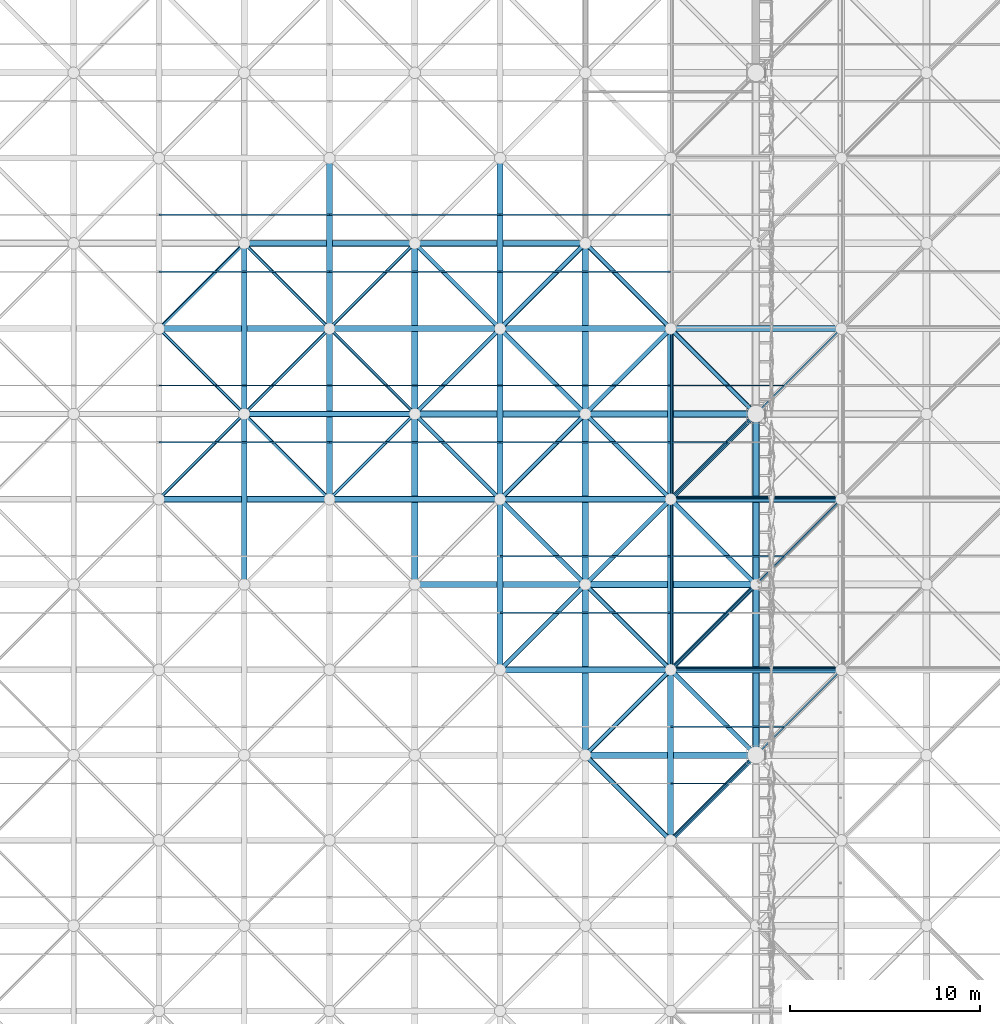
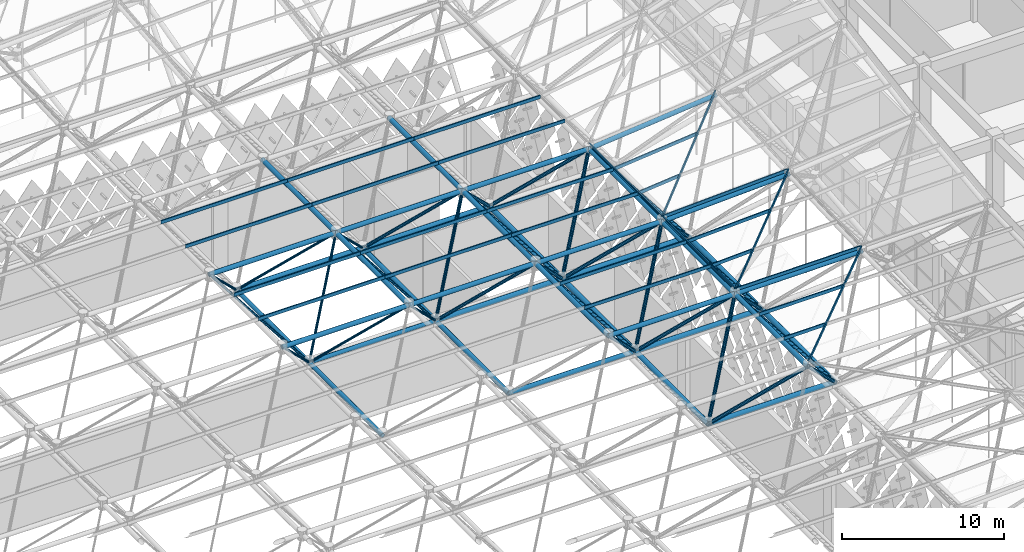
# One storey, part 96 of 437: 92 members.
"""IFC4 building model written with IfcOpenShell, lengths in metres."""

from ifc_helpers import new_model, si_unit, direction, frame, origin, origin_2d, place, context, subcontext, project, spatial, polyline, hollow_circle, outline, extrude, material, material_profile, profile_set, type_object, element, save


model = new_model("IFC4")

# Units and contexts
model_context = context("Model", 3, precision=1e-05, world=origin(), true_north=direction((0.0, 1.0)))
body_context = subcontext(model_context, "Body", "Model", "MODEL_VIEW")
ifc_project = project(units=[si_unit("LENGTHUNIT", "METRE"), si_unit("AREAUNIT", "SQUARE_METRE"), si_unit("VOLUMEUNIT", "CUBIC_METRE"), si_unit("PLANEANGLEUNIT", "RADIAN"), si_unit("MASSUNIT", "GRAM", prefix="KILO")], contexts=[model_context])

# Site, building, storey
site_placement = place(None, origin())
site = spatial("IfcSite", under=ifc_project, at=site_placement, CompositionType="ELEMENT")
building_placement = place(site_placement, origin())
building = spatial("IfcBuilding", under=site, at=building_placement, Name="Opaline Strait Convention Centre", CompositionType="ELEMENT")
storey_placement = place(building_placement, frame((0.0, 0.0, 11.5)))
storey = spatial("IfcBuildingStorey", under=building, at=storey_placement, Name="L02", CompositionType="ELEMENT", Elevation=11.5)

# Members
ifc_material = material(Name="Steel Q355B", Category="steel")
ifc_material_profile_1 = material_profile(ifc_material, outline(polyline([(-0.03759765625, -0.125), (0.03759765625, -0.125), (0.03759765625, -0.10498046875), (0.034912109375, -0.10498046875), (0.034912109375, -0.12255859375), (-0.034912109375, -0.12255859375), (-0.034912109375, 0.12255859375), (0.034912109375, 0.12255859375), (0.034912109375, 0.10498046875), (0.03759765625, 0.10498046875), (0.03759765625, 0.125), (-0.03759765625, 0.125), (-0.03759765625, -0.125)])), Name="C 250x75x20x2.5")
ifc_profile_set_1 = profile_set([ifc_material_profile_1], Name="Steel Q355B")
member_type_1 = type_object("IfcMemberType", Name="Roof purlin C 250x75x20x2.5", PredefinedType="PURLIN", material=ifc_profile_set_1)
member_1_placement = place(storey_placement, frame((256.5, 103.5, 18.256591796875), z_axis=(0.7070974383, 0.7070974383, 0.005140573824), x_axis=(-0.707116123947, 0.707078731646, 0.005143394667)))
element("IfcMember", 1, at=member_1_placement, inside=storey, type_object=member_type_1, Name="EXB-RF-F-19-7", PredefinedType="PURLIN", context=body_context, shape_type="SweptSolid", body=[
    extrude(outline(polyline([(-0.03759765625, -0.125), (0.03759765625, -0.125), (0.03759765625, -0.10498046875), (0.034912109375, -0.10498046875), (0.034912109375, -0.12255859375), (-0.034912109375, -0.12255859375), (-0.034912109375, 0.12255859375), (0.034912109375, 0.12255859375), (0.034912109375, 0.10498046875), (0.03759765625, 0.10498046875), (0.03759765625, 0.125), (-0.03759765625, 0.125), (-0.03759765625, -0.125)])), origin(), (0.0, 0.0, 1.0), 12.72802734375),
])
member_2_placement = place(storey_placement, frame((256.5, 106.5, 18.257080078125), z_axis=(0.999973480305, 0.0, 0.007282766388), x_axis=(0.0, 1.0, 0.0)))
element("IfcMember", 2, at=member_2_placement, inside=storey, type_object=member_type_1, Name="EXB-RF-P-19-7-0b", PredefinedType="PURLIN", context=body_context, shape_type="SweptSolid", body=[
    extrude(outline(polyline([(-0.03759765625, -0.125), (0.03759765625, -0.125), (0.03759765625, -0.10498046875), (0.034912109375, -0.10498046875), (0.034912109375, -0.12255859375), (-0.034912109375, -0.12255859375), (-0.034912109375, 0.12255859375), (0.034912109375, 0.12255859375), (0.034912109375, 0.10498046875), (0.03759765625, 0.10498046875), (0.03759765625, 0.125), (-0.03759765625, 0.125), (-0.03759765625, -0.125)])), origin(), (0.0, 0.0, 1.0), 2.949951171875),
])
member_3_placement = place(storey_placement, frame((256.5, 109.5, 18.257080078125), z_axis=(0.999973627418, 0.0, 0.007262538757), x_axis=(0.0, 1.0, 0.0)))
element("IfcMember", 3, at=member_3_placement, inside=storey, type_object=member_type_1, Name="EXB-RF-P-19-7-1b", PredefinedType="PURLIN", context=body_context, shape_type="SweptSolid", body=[
    extrude(outline(polyline([(-0.03759765625, -0.125), (0.03759765625, -0.125), (0.03759765625, -0.10498046875), (0.034912109375, -0.10498046875), (0.034912109375, -0.12255859375), (-0.034912109375, -0.12255859375), (-0.034912109375, 0.12255859375), (0.034912109375, 0.12255859375), (0.034912109375, 0.10498046875), (0.03759765625, 0.10498046875), (0.03759765625, 0.125), (-0.03759765625, 0.125), (-0.03759765625, -0.125)])), origin(), (0.0, 0.0, 1.0), 5.9501953125),
])
for number, where, z_axis, x_axis, name in (
    (4, (247.5, 115.5, 18.257080078125), (1.0, 0.0, 0.0), (0.0, 1.0, 0.0), "EXB-RF-P-18-8-0"),
    (5, (247.5, 118.5, 18.257080078125), (1.0, 0.0, 0.0), (0.0, 1.0, 0.0), "EXB-RF-P-18-8-1"),
):
    element("IfcMember", number, at=place(storey_placement, frame(where, z_axis=z_axis, x_axis=x_axis)), inside=storey, type_object=member_type_1, Name=name, PredefinedType="PURLIN", context=body_context, shape_type="SweptSolid", body=[
        extrude(outline(polyline([(-0.03759765625, -0.125), (0.03759765625, -0.125), (0.03759765625, -0.10498046875), (0.034912109375, -0.10498046875), (0.034912109375, -0.12255859375), (-0.034912109375, -0.12255859375), (-0.034912109375, 0.12255859375), (0.034912109375, 0.12255859375), (0.034912109375, 0.10498046875), (0.03759765625, 0.10498046875), (0.03759765625, 0.125), (-0.03759765625, 0.125), (-0.03759765625, -0.125)])), origin(), (0.0, 0.0, 1.0), 9.0),
    ])
member_4_placement = place(storey_placement, frame((256.5, 112.5, 18.25537109375), z_axis=(0.706754608869, 0.706754608869, 0.031557022738), x_axis=(-0.707421437094, 0.706472170757, 0.021259874997)))
element("IfcMember", 6, at=member_4_placement, inside=storey, type_object=member_type_1, Name="EXB-RF-F-19-8", PredefinedType="PURLIN", context=body_context, shape_type="SweptSolid", body=[
    extrude(outline(polyline([(-0.03759765625, -0.125), (0.03759765625, -0.125), (0.03759765625, -0.10498046875), (0.034912109375, -0.10498046875), (0.034912109375, -0.12255859375), (-0.034912109375, -0.12255859375), (-0.034912109375, 0.12255859375), (0.034912109375, 0.12255859375), (0.034912109375, 0.10498046875), (0.03759765625, 0.10498046875), (0.03759765625, 0.125), (-0.03759765625, 0.125), (-0.03759765625, -0.125)])), origin(), (0.0, 0.0, 1.0), 12.734375),
])
member_5_placement = place(storey_placement, frame((256.449951171875, 112.54443359375, 18.25830078125), z_axis=(0.999973571083, 0.0, 0.007270291296), x_axis=(-0.000271545984, 0.999302242213, 0.037349095988)))
element("IfcMember", 7, at=member_5_placement, inside=storey, type_object=member_type_1, Name="EXB-RF-E-19-8a", PredefinedType="PURLIN", context=body_context, shape_type="SweptSolid", body=[
    extrude(outline(polyline([(-0.03759765625, -0.125), (0.03759765625, -0.125), (0.03759765625, -0.10498046875), (0.034912109375, -0.10498046875), (0.034912109375, -0.12255859375), (-0.034912109375, -0.12255859375), (-0.034912109375, 0.12255859375), (0.034912109375, 0.12255859375), (0.034912109375, 0.10498046875), (0.03759765625, 0.10498046875), (0.03759765625, 0.125), (-0.03759765625, 0.125), (-0.03759765625, -0.125)])), origin(), (0.0, 0.0, 1.0), 9.100341796875),
])
member_6_placement = place(storey_placement, frame((256.54541015625, 112.449951171875, 18.259033203125), z_axis=(0.0, 1.0, 0.0), x_axis=(-0.999004644434, 0.0, -0.044606282058)))
element("IfcMember", 8, at=member_6_placement, inside=storey, type_object=member_type_1, Name="EXB-RF-E-19-8b", PredefinedType="PURLIN", context=body_context, shape_type="SweptSolid", body=[
    extrude(outline(polyline([(-0.03759765625, -0.125), (0.03759765625, -0.125), (0.03759765625, -0.10498046875), (0.034912109375, -0.10498046875), (0.034912109375, -0.12255859375), (-0.034912109375, -0.12255859375), (-0.034912109375, 0.12255859375), (0.034912109375, 0.12255859375), (0.034912109375, 0.10498046875), (0.03759765625, 0.10498046875), (0.03759765625, 0.125), (-0.03759765625, 0.125), (-0.03759765625, -0.125)])), origin(), (0.0, 0.0, 1.0), 9.10009765625),
])
member_7_placement = place(storey_placement, frame((256.579833984375, 115.5, 18.2607421875), z_axis=(0.99900431847, 0.0, 0.044613581762), x_axis=(0.0, 1.0, 0.0)))
element("IfcMember", 9, at=member_7_placement, inside=storey, type_object=member_type_1, Name="EXB-RF-P-19-8-0b", PredefinedType="PURLIN", context=body_context, shape_type="SweptSolid", body=[
    extrude(outline(polyline([(-0.03759765625, -0.125), (0.03759765625, -0.125), (0.03759765625, -0.10498046875), (0.034912109375, -0.10498046875), (0.034912109375, -0.12255859375), (-0.034912109375, -0.12255859375), (-0.034912109375, 0.12255859375), (0.034912109375, 0.12255859375), (0.034912109375, 0.10498046875), (0.03759765625, 0.10498046875), (0.03759765625, 0.125), (-0.03759765625, 0.125), (-0.03759765625, -0.125)])), origin(), (0.0, 0.0, 1.0), 2.873046875),
])
member_8_placement = place(storey_placement, frame((256.579833984375, 118.5, 18.2607421875), z_axis=(0.999005721795, 0.0, 0.044582146876), x_axis=(0.0, 1.0, 0.0)))
element("IfcMember", 10, at=member_8_placement, inside=storey, type_object=member_type_1, Name="EXB-RF-P-19-8-1b", PredefinedType="PURLIN", context=body_context, shape_type="SweptSolid", body=[
    extrude(outline(polyline([(-0.03759765625, -0.125), (0.03759765625, -0.125), (0.03759765625, -0.10498046875), (0.034912109375, -0.10498046875), (0.034912109375, -0.12255859375), (-0.034912109375, -0.12255859375), (-0.034912109375, 0.12255859375), (0.034912109375, 0.12255859375), (0.034912109375, 0.10498046875), (0.03759765625, 0.10498046875), (0.03759765625, 0.125), (-0.03759765625, 0.125), (-0.03759765625, -0.125)])), origin(), (0.0, 0.0, 1.0), 5.8759765625),
])
for number, where, z_axis, x_axis, name in (
    (11, (229.5, 124.5, 18.257080078125), (1.0, 0.0, 0.0), (0.0, 1.0, 0.0), "EXB-RF-P-16-9-0"),
    (12, (229.5, 127.5, 18.257080078125), (1.0, 0.0, 0.0), (0.0, 1.0, 0.0), "EXB-RF-P-16-9-1"),
    (13, (238.5, 124.5, 18.257080078125), (1.0, 0.0, 0.0), (0.0, 1.0, 0.0), "EXB-RF-P-17-9-0"),
    (14, (238.5, 127.5, 18.257080078125), (1.0, 0.0, 0.0), (0.0, 1.0, 0.0), "EXB-RF-P-17-9-1"),
    (15, (247.5, 124.5, 18.257080078125), (1.0, 0.0, 0.0), (0.0, 1.0, 0.0), "EXB-RF-P-18-9-0"),
    (16, (247.5, 127.5, 18.257080078125), (1.0, 0.0, 0.0), (0.0, 1.0, 0.0), "EXB-RF-P-18-9-1"),
):
    element("IfcMember", number, at=place(storey_placement, frame(where, z_axis=z_axis, x_axis=x_axis)), inside=storey, type_object=member_type_1, Name=name, PredefinedType="PURLIN", context=body_context, shape_type="SweptSolid", body=[
        extrude(outline(polyline([(-0.03759765625, -0.125), (0.03759765625, -0.125), (0.03759765625, -0.10498046875), (0.034912109375, -0.10498046875), (0.034912109375, -0.12255859375), (-0.034912109375, -0.12255859375), (-0.034912109375, 0.12255859375), (0.034912109375, 0.12255859375), (0.034912109375, 0.10498046875), (0.03759765625, 0.10498046875), (0.03759765625, 0.125), (-0.03759765625, 0.125), (-0.03759765625, -0.125)])), origin(), (0.0, 0.0, 1.0), 9.0),
    ])
member_9_placement = place(storey_placement, frame((256.5, 121.5, 18.255126953125), z_axis=(0.705385748856, 0.705385748856, 0.069727258812), x_axis=(-0.707423051329, 0.706758384602, 0.006724004996)))
element("IfcMember", 17, at=member_9_placement, inside=storey, type_object=member_type_1, Name="EXB-RF-F-19-9", PredefinedType="PURLIN", context=body_context, shape_type="SweptSolid", body=[
    extrude(outline(polyline([(-0.03759765625, -0.125), (0.03759765625, -0.125), (0.03759765625, -0.10498046875), (0.034912109375, -0.10498046875), (0.034912109375, -0.12255859375), (-0.034912109375, -0.12255859375), (-0.034912109375, 0.12255859375), (0.034912109375, 0.12255859375), (0.034912109375, 0.10498046875), (0.03759765625, 0.10498046875), (0.03759765625, 0.125), (-0.03759765625, 0.125), (-0.03759765625, -0.125)])), origin(), (0.0, 0.0, 1.0), 12.759033203125),
])
member_10_placement = place(storey_placement, frame((256.449951171875, 121.54638671875, 18.257568359375), z_axis=(0.999005016003, 0.0, 0.044597959613), x_axis=(-0.002411571545, 0.998536953469, 0.054019782307)))
element("IfcMember", 18, at=member_10_placement, inside=storey, type_object=member_type_1, Name="EXB-RF-E-19-9a", PredefinedType="PURLIN", context=body_context, shape_type="SweptSolid", body=[
    extrude(outline(polyline([(-0.03759765625, -0.125), (0.03759765625, -0.125), (0.03759765625, -0.10498046875), (0.034912109375, -0.10498046875), (0.034912109375, -0.12255859375), (-0.034912109375, -0.12255859375), (-0.034912109375, 0.12255859375), (0.034912109375, 0.12255859375), (0.034912109375, 0.10498046875), (0.03759765625, 0.10498046875), (0.03759765625, 0.125), (-0.03759765625, 0.125), (-0.03759765625, -0.125)])), origin(), (0.0, 0.0, 1.0), 9.109130859375),
])
member_11_placement = place(storey_placement, frame((256.5517578125, 121.449951171875, 18.2626953125), z_axis=(0.0, 1.0, 0.0), x_axis=(-0.995149078082, 0.0, -0.098378414266)))
element("IfcMember", 19, at=member_11_placement, inside=storey, type_object=member_type_1, Name="EXB-RF-E-19-9b", PredefinedType="PURLIN", context=body_context, shape_type="SweptSolid", body=[
    extrude(outline(polyline([(-0.03759765625, -0.125), (0.03759765625, -0.125), (0.03759765625, -0.10498046875), (0.034912109375, -0.10498046875), (0.034912109375, -0.12255859375), (-0.034912109375, -0.12255859375), (-0.034912109375, 0.12255859375), (0.034912109375, 0.12255859375), (0.034912109375, 0.10498046875), (0.03759765625, 0.10498046875), (0.03759765625, 0.125), (-0.03759765625, 0.125), (-0.03759765625, -0.125)])), origin(), (0.0, 0.0, 1.0), 9.10009765625),
])
member_12_placement = place(storey_placement, frame((256.58642578125, 124.5, 18.26611328125), z_axis=(0.995144966284, 0.0, 0.098419998371), x_axis=(0.0, 1.0, 0.0)))
element("IfcMember", 20, at=member_12_placement, inside=storey, type_object=member_type_1, Name="EXB-RF-P-19-9-0b", PredefinedType="PURLIN", context=body_context, shape_type="SweptSolid", body=[
    extrude(outline(polyline([(-0.03759765625, -0.125), (0.03759765625, -0.125), (0.03759765625, -0.10498046875), (0.034912109375, -0.10498046875), (0.034912109375, -0.12255859375), (-0.034912109375, -0.12255859375), (-0.034912109375, 0.12255859375), (0.034912109375, 0.12255859375), (0.034912109375, 0.10498046875), (0.03759765625, 0.10498046875), (0.03759765625, 0.125), (-0.03759765625, 0.125), (-0.03759765625, -0.125)])), origin(), (0.0, 0.0, 1.0), 2.87744140625),
])
member_13_placement = place(storey_placement, frame((256.58642578125, 127.5, 18.26611328125), z_axis=(0.995150180521, 0.0, 0.098367261879), x_axis=(0.0, 1.0, 0.0)))
element("IfcMember", 21, at=member_13_placement, inside=storey, type_object=member_type_1, Name="EXB-RF-P-19-9-1b", PredefinedType="PURLIN", context=body_context, shape_type="SweptSolid", body=[
    extrude(outline(polyline([(-0.03759765625, -0.125), (0.03759765625, -0.125), (0.03759765625, -0.10498046875), (0.034912109375, -0.10498046875), (0.034912109375, -0.12255859375), (-0.034912109375, -0.12255859375), (-0.034912109375, 0.12255859375), (0.034912109375, 0.12255859375), (0.034912109375, 0.10498046875), (0.03759765625, 0.10498046875), (0.03759765625, 0.125), (-0.03759765625, 0.125), (-0.03759765625, -0.125)])), origin(), (0.0, 0.0, 1.0), 5.89208984375),
])
for number, where, z_axis, x_axis, name in (
    (22, (229.5, 133.5, 18.257080078125), (1.0, 0.0, 0.0), (0.0, 1.0, 0.0), "EXB-RF-P-16-10-0"),
    (23, (229.5, 136.5, 18.257080078125), (1.0, 0.0, 0.0), (0.0, 1.0, 0.0), "EXB-RF-P-16-10-1"),
    (24, (238.5, 133.5, 18.257080078125), (1.0, 0.0, 0.0), (0.0, 1.0, 0.0), "EXB-RF-P-17-10-0"),
    (25, (238.5, 136.5, 18.257080078125), (1.0, 0.0, 0.0), (0.0, 1.0, 0.0), "EXB-RF-P-17-10-1"),
    (26, (247.5, 133.5, 18.257080078125), (1.0, 0.0, 0.0), (0.0, 1.0, 0.0), "EXB-RF-P-18-10-0"),
    (27, (247.5, 136.5, 18.257080078125), (1.0, 0.0, 0.0), (0.0, 1.0, 0.0), "EXB-RF-P-18-10-1"),
):
    element("IfcMember", number, at=place(storey_placement, frame(where, z_axis=z_axis, x_axis=x_axis)), inside=storey, type_object=member_type_1, Name=name, PredefinedType="PURLIN", context=body_context, shape_type="SweptSolid", body=[
        extrude(outline(polyline([(-0.03759765625, -0.125), (0.03759765625, -0.125), (0.03759765625, -0.10498046875), (0.034912109375, -0.10498046875), (0.034912109375, -0.12255859375), (-0.034912109375, -0.12255859375), (-0.034912109375, 0.12255859375), (0.034912109375, 0.12255859375), (0.034912109375, 0.10498046875), (0.03759765625, 0.10498046875), (0.03759765625, 0.125), (-0.03759765625, 0.125), (-0.03759765625, -0.125)])), origin(), (0.0, 0.0, 1.0), 9.0),
    ])
ifc_material_profile_2 = material_profile(ifc_material, hollow_circle(Radius=0.1494140625, WallThickness=0.010009765625, at=origin_2d()), Name="CHS 299x10")
ifc_profile_set_2 = profile_set([ifc_material_profile_2], Name="Steel Q355B")
member_type_2 = type_object("IfcMemberType", Name="Space frame bottom chord CHS 299x10", PredefinedType="CHORD", material=ifc_profile_set_2)
for number, where, z_axis, x_axis, name in (
    (28, (233.949951171875, 126.0, 12.5), (1.0, 0.0, 0.0), (0.0, 1.0, 0.0), "EXB-RF-BX-16-9"),
    (29, (234.0, 116.949951171875, 12.5), (0.0, 1.0, 0.0), (-1.0, 0.0, 0.0), "EXB-RF-BY-16-8"),
    (30, (234.0, 125.949951171875, 12.5), (0.0, 1.0, 0.0), (-1.0, 0.0, 0.0), "EXB-RF-BY-16-9"),
):
    element("IfcMember", number, at=place(storey_placement, frame(where, z_axis=z_axis, x_axis=x_axis)), inside=storey, type_object=member_type_2, Name=name, PredefinedType="CHORD", context=body_context, shape_type="SweptSolid", body=[
        extrude(hollow_circle(Radius=0.1494140625, WallThickness=0.010009765625, at=origin_2d()), origin(), (0.0, 0.0, 1.0), 9.10009765625),
    ])
ifc_material_profile_3 = material_profile(ifc_material, hollow_circle(Radius=0.16259765625, WallThickness=0.013916015625, at=origin_2d()), Name="CHS 325x14")
ifc_profile_set_3 = profile_set([ifc_material_profile_3], Name="Steel Q355B")
member_type_3 = type_object("IfcMemberType", Name="Space frame bottom chord CHS 325x14", PredefinedType="CHORD", material=ifc_profile_set_3)
for number, where, z_axis, x_axis, name in (
    (31, (242.949951171875, 117.0, 12.5), (1.0, 0.0, 0.0), (0.0, 1.0, 0.0), "EXB-RF-BX-17-8"),
    (32, (233.949951171875, 135.0, 12.5), (1.0, 0.0, 0.0), (0.0, 1.0, 0.0), "EXB-RF-BX-16-10"),
    (33, (242.949951171875, 135.0, 12.5), (1.0, 0.0, 0.0), (0.0, 1.0, 0.0), "EXB-RF-BX-17-10"),
    (34, (243.0, 116.949951171875, 12.5), (0.0, 1.0, 0.0), (-1.0, 0.0, 0.0), "EXB-RF-BY-17-8"),
    (35, (243.0, 125.949951171875, 12.5), (0.0, 1.0, 0.0), (-1.0, 0.0, 0.0), "EXB-RF-BY-17-9"),
):
    element("IfcMember", number, at=place(storey_placement, frame(where, z_axis=z_axis, x_axis=x_axis)), inside=storey, type_object=member_type_3, Name=name, PredefinedType="CHORD", context=body_context, shape_type="SweptSolid", body=[
        extrude(hollow_circle(Radius=0.16259765625, WallThickness=0.013916015625, at=origin_2d()), origin(), (0.0, 0.0, 1.0), 9.10009765625),
    ])
ifc_material_profile_4 = material_profile(ifc_material, hollow_circle(Radius=0.175537109375, WallThickness=0.01611328125, at=origin_2d()), Name="CHS 351x16")
ifc_profile_set_4 = profile_set([ifc_material_profile_4], Name="Steel Q355B")
member_type_4 = type_object("IfcMemberType", Name="Space frame bottom chord CHS 351x16", PredefinedType="CHORD", material=ifc_profile_set_4)
for number, where, z_axis, x_axis, name in (
    (36, (251.949951171875, 108.0, 12.5), (1.0, 0.0, 0.0), (0.0, 1.0, 0.0), "EXB-RF-BX-18-7"),
    (37, (251.949951171875, 117.0, 12.5), (1.0, 0.0, 0.0), (0.0, 1.0, 0.0), "EXB-RF-BX-18-8"),
    (38, (242.949951171875, 126.0, 12.5), (1.0, 0.0, 0.0), (0.0, 1.0, 0.0), "EXB-RF-BX-17-9"),
    (39, (251.949951171875, 126.0, 12.5), (1.0, 0.0, 0.0), (0.0, 1.0, 0.0), "EXB-RF-BX-18-9"),
    (40, (252.0, 107.949951171875, 12.5), (0.0, 1.0, 0.0), (-1.0, 0.0, 0.0), "EXB-RF-BY-18-7"),
    (41, (252.0, 116.949951171875, 12.5), (0.0, 1.0, 0.0), (-1.0, 0.0, 0.0), "EXB-RF-BY-18-8"),
    (42, (252.0, 125.949951171875, 12.5), (0.0, 1.0, 0.0), (-1.0, 0.0, 0.0), "EXB-RF-BY-18-9"),
    (43, (261.0, 107.949951171875, 12.5), (0.0, 1.0, 0.0), (-1.0, 0.0, 0.0), "EXB-RF-BY-19-7"),
    (44, (261.0, 116.949951171875, 12.5), (0.0, 1.0, 0.0), (-1.0, 0.0, 0.0), "EXB-RF-BY-19-8"),
):
    element("IfcMember", number, at=place(storey_placement, frame(where, z_axis=z_axis, x_axis=x_axis)), inside=storey, type_object=member_type_4, Name=name, PredefinedType="CHORD", context=body_context, shape_type="SweptSolid", body=[
        extrude(hollow_circle(Radius=0.175537109375, WallThickness=0.01611328125, at=origin_2d()), origin(), (0.0, 0.0, 1.0), 9.10009765625),
    ])
ifc_material_profile_5 = material_profile(ifc_material, hollow_circle(Radius=0.16259765625, WallThickness=0.010009765625, at=origin_2d()), Name="CHS 325x10")
ifc_profile_set_5 = profile_set([ifc_material_profile_5], Name="Steel Q355B")
member_type_5 = type_object("IfcMemberType", Name="Space frame top chord CHS 325x10", PredefinedType="CHORD", material=ifc_profile_set_5)
for number, where, z_axis, x_axis, name in (
    (45, (229.449951171875, 121.5, 17.971435546875), (1.0, 0.0, 0.0), (0.0, 1.0, 0.0), "EXB-RF-TX-16-9"),
    (46, (229.449951171875, 130.5, 17.971435546875), (1.0, 0.0, 0.0), (0.0, 1.0, 0.0), "EXB-RF-TX-16-10"),
    (47, (238.5, 121.449951171875, 17.971435546875), (0.0, 1.0, 0.0), (-1.0, 0.0, 0.0), "EXB-RF-TY-17-9"),
):
    element("IfcMember", number, at=place(storey_placement, frame(where, z_axis=z_axis, x_axis=x_axis)), inside=storey, type_object=member_type_5, Name=name, PredefinedType="CHORD", context=body_context, shape_type="SweptSolid", body=[
        extrude(hollow_circle(Radius=0.16259765625, WallThickness=0.010009765625, at=origin_2d()), origin(), (0.0, 0.0, 1.0), 9.10009765625),
    ])
ifc_material_profile_6 = material_profile(ifc_material, hollow_circle(Radius=0.16259765625, WallThickness=0.013916015625, at=origin_2d()), Name="CHS 325x14")
ifc_profile_set_6 = profile_set([ifc_material_profile_6], Name="Steel Q355B")
member_type_6 = type_object("IfcMemberType", Name="Space frame top chord CHS 325x14", PredefinedType="CHORD", material=ifc_profile_set_6)
for number, where, z_axis, x_axis, name in (
    (48, (238.449951171875, 121.5, 17.971435546875), (1.0, 0.0, 0.0), (0.0, 1.0, 0.0), "EXB-RF-TX-17-9"),
    (49, (238.449951171875, 130.5, 17.971435546875), (1.0, 0.0, 0.0), (0.0, 1.0, 0.0), "EXB-RF-TX-17-10"),
    (50, (238.5, 130.449951171875, 17.971435546875), (0.0, 1.0, 0.0), (-1.0, 0.0, 0.0), "EXB-RF-TY-17-10"),
    (51, (247.5, 112.449951171875, 17.971435546875), (0.0, 1.0, 0.0), (-1.0, 0.0, 0.0), "EXB-RF-TY-18-8"),
    (52, (247.5, 130.449951171875, 17.971435546875), (0.0, 1.0, 0.0), (-1.0, 0.0, 0.0), "EXB-RF-TY-18-10"),
):
    element("IfcMember", number, at=place(storey_placement, frame(where, z_axis=z_axis, x_axis=x_axis)), inside=storey, type_object=member_type_6, Name=name, PredefinedType="CHORD", context=body_context, shape_type="SweptSolid", body=[
        extrude(hollow_circle(Radius=0.16259765625, WallThickness=0.013916015625, at=origin_2d()), origin(), (0.0, 0.0, 1.0), 9.10009765625),
    ])
ifc_material_profile_7 = material_profile(ifc_material, hollow_circle(Radius=0.16259765625, WallThickness=0.02001953125, at=origin_2d()), Name="CHS 325x20")
ifc_profile_set_7 = profile_set([ifc_material_profile_7], Name="Steel Q355B")
member_type_7 = type_object("IfcMemberType", Name="Space frame top chord CHS 325x20", PredefinedType="CHORD", material=ifc_profile_set_7)
member_14_placement = place(storey_placement, frame((247.449951171875, 112.5, 17.971435546875), z_axis=(1.0, 0.0, 0.0), x_axis=(0.0, 1.0, 0.0)))
element("IfcMember", 53, at=member_14_placement, inside=storey, type_object=member_type_7, Name="EXB-RF-TX-18-8", PredefinedType="CHORD", context=body_context, shape_type="SweptSolid", body=[
    extrude(hollow_circle(Radius=0.16259765625, WallThickness=0.02001953125, at=origin_2d()), origin(), (0.0, 0.0, 1.0), 9.10009765625),
])
member_15_placement = place(storey_placement, frame((256.449951171875, 112.5, 17.97119140625), z_axis=(0.999973571083, 0.0, 0.007270291296), x_axis=(0.0, 1.0, 0.0)))
element("IfcMember", 54, at=member_15_placement, inside=storey, type_object=member_type_7, Name="EXB-RF-TX-19-8", PredefinedType="CHORD", context=body_context, shape_type="SweptSolid", body=[
    extrude(hollow_circle(Radius=0.16259765625, WallThickness=0.02001953125, at=origin_2d()), origin(), (0.0, 0.0, 1.0), 9.100341796875),
])
member_16_placement = place(storey_placement, frame((247.449951171875, 121.5, 17.971435546875), z_axis=(1.0, 0.0, 0.0), x_axis=(0.0, 1.0, 0.0)))
element("IfcMember", 55, at=member_16_placement, inside=storey, type_object=member_type_7, Name="EXB-RF-TX-18-9", PredefinedType="CHORD", context=body_context, shape_type="SweptSolid", body=[
    extrude(hollow_circle(Radius=0.16259765625, WallThickness=0.02001953125, at=origin_2d()), origin(), (0.0, 0.0, 1.0), 9.10009765625),
])
member_17_placement = place(storey_placement, frame((256.449951171875, 121.5, 17.96923828125), z_axis=(0.999005016003, 0.0, 0.044597959613), x_axis=(0.0, 1.0, 0.0)))
element("IfcMember", 56, at=member_17_placement, inside=storey, type_object=member_type_7, Name="EXB-RF-TX-19-9", PredefinedType="CHORD", context=body_context, shape_type="SweptSolid", body=[
    extrude(hollow_circle(Radius=0.16259765625, WallThickness=0.02001953125, at=origin_2d()), origin(), (0.0, 0.0, 1.0), 9.109130859375),
])
member_18_placement = place(storey_placement, frame((247.449951171875, 130.5, 17.971435546875), z_axis=(1.0, 0.0, 0.0), x_axis=(0.0, 1.0, 0.0)))
element("IfcMember", 57, at=member_18_placement, inside=storey, type_object=member_type_7, Name="EXB-RF-TX-18-10", PredefinedType="CHORD", context=body_context, shape_type="SweptSolid", body=[
    extrude(hollow_circle(Radius=0.16259765625, WallThickness=0.02001953125, at=origin_2d()), origin(), (0.0, 0.0, 1.0), 9.10009765625),
])
member_19_placement = place(storey_placement, frame((256.4501953125, 130.5, 17.966552734375), z_axis=(0.995148121675, 0.0, 0.098388088334), x_axis=(0.0, 1.0, 0.0)))
element("IfcMember", 58, at=member_19_placement, inside=storey, type_object=member_type_7, Name="EXB-RF-TX-19-10", PredefinedType="CHORD", context=body_context, shape_type="SweptSolid", body=[
    extrude(hollow_circle(Radius=0.16259765625, WallThickness=0.02001953125, at=origin_2d()), origin(), (0.0, 0.0, 1.0), 9.14404296875),
])
for number, where, z_axis, x_axis, name in (
    (59, (247.5, 121.449951171875, 17.971435546875), (0.0, 1.0, 0.0), (-1.0, 0.0, 0.0), "EXB-RF-TY-18-9"),
    (60, (256.5, 103.449951171875, 17.971435546875), (0.0, 1.0, 0.0), (-1.0, 0.0, 0.0), "EXB-RF-TY-19-7"),
    (61, (256.5, 112.449951171875, 17.971435546875), (0.0, 1.0, 0.0), (-1.0, 0.0, 0.0), "EXB-RF-TY-19-8"),
    (62, (256.5, 121.449951171875, 17.971435546875), (0.0, 1.0, 0.0), (-1.0, 0.0, 0.0), "EXB-RF-TY-19-9"),
):
    element("IfcMember", number, at=place(storey_placement, frame(where, z_axis=z_axis, x_axis=x_axis)), inside=storey, type_object=member_type_7, Name=name, PredefinedType="CHORD", context=body_context, shape_type="SweptSolid", body=[
        extrude(hollow_circle(Radius=0.16259765625, WallThickness=0.02001953125, at=origin_2d()), origin(), (0.0, 0.0, 1.0), 9.10009765625),
    ])
ifc_material_profile_8 = material_profile(ifc_material, hollow_circle(Radius=0.083984375, WallThickness=0.008056640625, at=origin_2d()), Name="CHS 168x8")
ifc_profile_set_8 = profile_set([ifc_material_profile_8], Name="Steel Q355B")
member_type_8 = type_object("IfcMemberType", Name="Space frame web CHS 168x8", PredefinedType="BRACE", material=ifc_profile_set_8)
for number, where, z_axis, x_axis, name in (
    (63, (229.47314453125, 121.47314453125, 18.004150390625), (0.536178220346, 0.536178220346, -0.6519400525), (-0.707106781187, 0.707106781187, 0.0), "EXB-RF-W-16-9-00"),
    (64, (229.47314453125, 130.52685546875, 18.004150390625), (0.536178220346, -0.536178220346, -0.6519400525), (0.707106781187, 0.707106781187, 0.0), "EXB-RF-W-16-9-01"),
    (65, (238.52685546875, 121.47314453125, 18.004150390625), (-0.536178220346, 0.536178220346, -0.6519400525), (-0.707106781187, -0.707106781187, 0.0), "EXB-RF-W-16-9-10"),
    (66, (238.52685546875, 130.52685546875, 18.004150390625), (-0.536178220346, -0.536178220346, -0.6519400525), (0.707106781187, -0.707106781187, 0.0), "EXB-RF-W-16-9-11"),
    (67, (229.47314453125, 130.47314453125, 18.004150390625), (0.536178220346, 0.536178220346, -0.6519400525), (-0.707106781187, 0.707106781187, 0.0), "EXB-RF-W-16-10-00"),
    (68, (238.52685546875, 130.47314453125, 18.004150390625), (-0.536178220346, 0.536178220346, -0.6519400525), (-0.707106781187, -0.707106781187, 0.0), "EXB-RF-W-16-10-10"),
    (69, (238.47314453125, 121.47314453125, 18.004150390625), (0.536178220346, 0.536178220346, -0.6519400525), (-0.707106781187, 0.707106781187, 0.0), "EXB-RF-W-17-9-00"),
    (70, (238.47314453125, 130.52685546875, 18.004150390625), (0.536178220346, -0.536178220346, -0.6519400525), (0.707106781187, 0.707106781187, 0.0), "EXB-RF-W-17-9-01"),
    (71, (238.47314453125, 130.47314453125, 18.004150390625), (0.536178220346, 0.536178220346, -0.6519400525), (-0.707106781187, 0.707106781187, 0.0), "EXB-RF-W-17-10-00"),
):
    element("IfcMember", number, at=place(storey_placement, frame(where, z_axis=z_axis, x_axis=x_axis)), inside=storey, type_object=member_type_8, Name=name, PredefinedType="BRACE", context=body_context, shape_type="SweptSolid", body=[
        extrude(hollow_circle(Radius=0.083984375, WallThickness=0.008056640625, at=origin_2d()), origin(), (0.0, 0.0, 1.0), 8.492919921875),
    ])
ifc_material_profile_9 = material_profile(ifc_material, hollow_circle(Radius=0.109619140625, WallThickness=0.010009765625, at=origin_2d()), Name="CHS 219x10")
ifc_profile_set_9 = profile_set([ifc_material_profile_9], Name="Steel Q355B")
member_type_9 = type_object("IfcMemberType", Name="Space frame web CHS 219x10", PredefinedType="BRACE", material=ifc_profile_set_9)
for number, where, z_axis, x_axis, name in (
    (72, (247.52685546875, 121.47314453125, 18.004150390625), (-0.536178220346, 0.536178220346, -0.6519400525), (-0.707106781187, -0.707106781187, 0.0), "EXB-RF-W-17-9-10"),
    (73, (247.52685546875, 130.52685546875, 18.004150390625), (-0.536178220346, -0.536178220346, -0.6519400525), (0.707106781187, -0.707106781187, 0.0), "EXB-RF-W-17-9-11"),
    (74, (247.52685546875, 130.47314453125, 18.004150390625), (-0.536178220346, 0.536178220346, -0.6519400525), (-0.707106781187, -0.707106781187, 0.0), "EXB-RF-W-17-10-10"),
):
    element("IfcMember", number, at=place(storey_placement, frame(where, z_axis=z_axis, x_axis=x_axis)), inside=storey, type_object=member_type_9, Name=name, PredefinedType="BRACE", context=body_context, shape_type="SweptSolid", body=[
        extrude(hollow_circle(Radius=0.109619140625, WallThickness=0.010009765625, at=origin_2d()), origin(), (0.0, 0.0, 1.0), 8.492919921875),
    ])
ifc_material_profile_10 = material_profile(ifc_material, hollow_circle(Radius=0.12255859375, WallThickness=0.011962890625, at=origin_2d()), Name="CHS 245x12")
ifc_profile_set_10 = profile_set([ifc_material_profile_10], Name="Steel Q355B")
member_type_10 = type_object("IfcMemberType", Name="Space frame web CHS 245x12", PredefinedType="BRACE", material=ifc_profile_set_10)
for number, where, z_axis, x_axis, name in (
    (75, (256.52685546875, 103.47314453125, 18.004150390625), (-0.536178220346, 0.536178220346, -0.6519400525), (-0.707106781187, -0.707106781187, 0.0), "EXB-RF-W-18-7-10"),
    (76, (256.52685546875, 112.52685546875, 18.004150390625), (-0.536178220346, -0.536178220346, -0.6519400525), (0.707106781187, -0.707106781187, 0.0), "EXB-RF-W-18-7-11"),
    (77, (247.47314453125, 112.47314453125, 18.004150390625), (0.536178220346, 0.536178220346, -0.6519400525), (-0.707106781187, 0.707106781187, 0.0), "EXB-RF-W-18-8-00"),
    (78, (247.47314453125, 121.52685546875, 18.004150390625), (0.536178220346, -0.536178220346, -0.6519400525), (0.707106781187, 0.707106781187, 0.0), "EXB-RF-W-18-8-01"),
    (79, (256.52685546875, 112.47314453125, 18.004150390625), (-0.536178220346, 0.536178220346, -0.6519400525), (-0.707106781187, -0.707106781187, 0.0), "EXB-RF-W-18-8-10"),
    (80, (256.52685546875, 121.52685546875, 18.004150390625), (-0.536178220346, -0.536178220346, -0.6519400525), (0.707106781187, -0.707106781187, 0.0), "EXB-RF-W-18-8-11"),
    (81, (247.47314453125, 121.47314453125, 18.004150390625), (0.536178220346, 0.536178220346, -0.6519400525), (-0.707106781187, 0.707106781187, 0.0), "EXB-RF-W-18-9-00"),
    (82, (247.47314453125, 130.52685546875, 18.004150390625), (0.536178220346, -0.536178220346, -0.6519400525), (0.707106781187, 0.707106781187, 0.0), "EXB-RF-W-18-9-01"),
    (83, (256.52685546875, 121.47314453125, 18.004150390625), (-0.536178220346, 0.536178220346, -0.6519400525), (-0.707106781187, -0.707106781187, 0.0), "EXB-RF-W-18-9-10"),
    (84, (256.52685546875, 130.52685546875, 18.004150390625), (-0.536178220346, -0.536178220346, -0.6519400525), (0.707106781187, -0.707106781187, 0.0), "EXB-RF-W-18-9-11"),
    (85, (247.47314453125, 130.47314453125, 18.004150390625), (0.536178220346, 0.536178220346, -0.6519400525), (-0.707106781187, 0.707106781187, 0.0), "EXB-RF-W-18-10-00"),
    (86, (256.52685546875, 130.47314453125, 18.004150390625), (-0.536178220346, 0.536178220346, -0.6519400525), (-0.707106781187, -0.707106781187, 0.0), "EXB-RF-W-18-10-10"),
    (87, (256.47314453125, 103.47314453125, 18.004150390625), (0.536178220346, 0.536178220346, -0.6519400525), (-0.707106781187, 0.707106781187, 0.0), "EXB-RF-W-19-7-00"),
    (88, (256.47314453125, 112.52685546875, 18.004150390625), (0.536178220346, -0.536178220346, -0.6519400525), (0.707106781187, 0.707106781187, 0.0), "EXB-RF-W-19-7-01"),
    (89, (256.47314453125, 112.47314453125, 18.004150390625), (0.536178220346, 0.536178220346, -0.6519400525), (-0.707106781187, 0.707106781187, 0.0), "EXB-RF-W-19-8-00"),
    (90, (256.47314453125, 121.52685546875, 18.004150390625), (0.536178220346, -0.536178220346, -0.6519400525), (0.707106781187, 0.707106781187, 0.0), "EXB-RF-W-19-8-01"),
    (91, (256.47314453125, 121.47314453125, 18.004150390625), (0.536178220346, 0.536178220346, -0.6519400525), (-0.707106781187, 0.707106781187, 0.0), "EXB-RF-W-19-9-00"),
    (92, (256.47314453125, 130.52685546875, 18.004150390625), (0.536178220346, -0.536178220346, -0.6519400525), (0.707106781187, 0.707106781187, 0.0), "EXB-RF-W-19-9-01"),
):
    element("IfcMember", number, at=place(storey_placement, frame(where, z_axis=z_axis, x_axis=x_axis)), inside=storey, type_object=member_type_10, Name=name, PredefinedType="BRACE", context=body_context, shape_type="SweptSolid", body=[
        extrude(hollow_circle(Radius=0.12255859375, WallThickness=0.011962890625, at=origin_2d()), origin(), (0.0, 0.0, 1.0), 8.492919921875),
    ])

save(model, "model.ifc")
